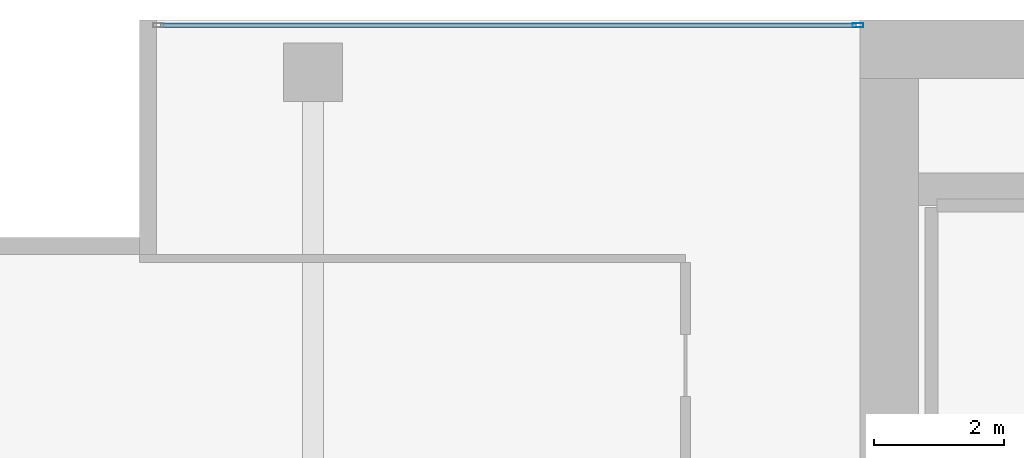
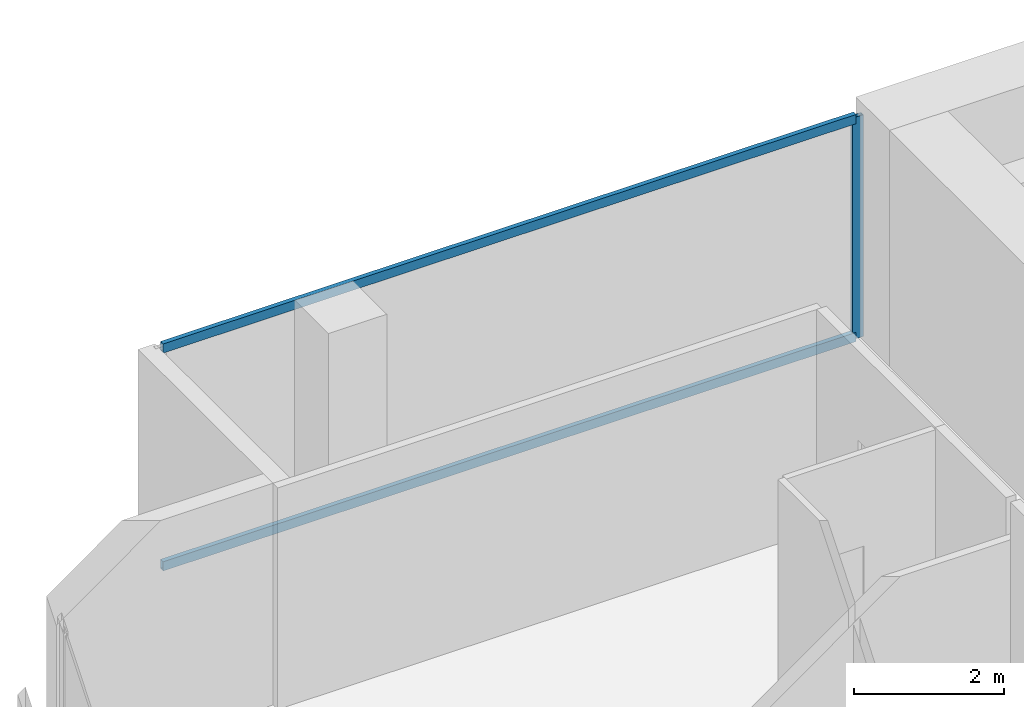
# One storey, part 26 of 40: 3 members, 1 element without a shape of its own.
"""IFC4 building model written with IfcOpenShell, lengths in metres."""

from ifc_helpers import new_model, si_unit, direction, frame, origin, origin_2d, place, context, subcontext, project, spatial, hollow_rectangle, extrude, material, layer, layer_set, material_profile, profile_set, type_object, element, aggregate, save


model = new_model("IFC4")

# Units and contexts
model_context = context("Model", 3, precision=1e-05, world=origin(), true_north=direction((0.0, 1.0)))
body_context = subcontext(model_context, "Body", "Model", "MODEL_VIEW")
ifc_project = project(units=[si_unit("LENGTHUNIT", "METRE"), si_unit("AREAUNIT", "SQUARE_METRE"), si_unit("VOLUMEUNIT", "CUBIC_METRE"), si_unit("PLANEANGLEUNIT", "RADIAN"), si_unit("MASSUNIT", "GRAM", prefix="KILO")], contexts=[model_context])

# Site, building, storey
site_placement = place(None, origin())
site = spatial("IfcSite", under=ifc_project, at=site_placement, CompositionType="ELEMENT")
building_placement = place(site_placement, origin())
building = spatial("IfcBuilding", under=site, at=building_placement, Name="Maruvema Waterfront Hotel and Observation Tower", CompositionType="ELEMENT")
storey_placement = place(building_placement, frame((0.0, 0.0, 77.0)))
storey = spatial("IfcBuildingStorey", under=building, at=storey_placement, Name="L18", CompositionType="ELEMENT", Elevation=77.0)

# Curtain wall, members
ifc_material_1 = material(Name="Anodised bronze aluminium and solar-control low-E IGU", Category="aluminium")
ifc_layer = layer(ifc_material_1, 0.159912109375, Name="Zone 1 Bronze Inner Thermal Curtain Wall System CW-02")
ifc_layer_set = layer_set([ifc_layer], Name="Anodised bronze aluminium and solar-control low-E IGU")
curtain_wall_type = type_object("IfcCurtainWallType", Name="Zone 1 Bronze Inner Thermal Curtain Wall System CW-02", PredefinedType="USERDEFINED", material=ifc_layer_set)
curtain_wall_placement = place(storey_placement, origin())
curtain_wall = element("IfcCurtainWall", 1, at=curtain_wall_placement, inside=storey, type_object=curtain_wall_type, Name="L18 Curtain Wall CW-L18-NW", ObjectType="UNITISED CURTAIN WALL", PredefinedType="USERDEFINED")
ifc_material_2 = material(Name="Anodised architectural bronze aluminium", Category="aluminium")
ifc_material_profile_1 = material_profile(ifc_material_2, hollow_rectangle(XDim=0.070068359375, YDim=0.14990234375, WallThickness=0.00390625, at=origin_2d()), Name="ALU-T70x150")
ifc_profile_set_1 = profile_set([ifc_material_profile_1], Name="Anodised architectural bronze aluminium")
member_type_1 = type_object("IfcMemberType", Name="Curtain Wall Horizontal Transom ALU-T70x150", PredefinedType="USERDEFINED", material=ifc_profile_set_1)
member_1_placement = place(storey_placement, frame((25.139892578125, 53.919921875, 0.030029296875), z_axis=(-1.0, 0.0, 0.0), x_axis=(0.0, -1.0, 0.0)))
member_1 = element("IfcMember", 2, at=member_1_placement, type_object=member_type_1, Name="CW-02 transom 1.1", ObjectType="TRANSOM", PredefinedType="USERDEFINED", context=body_context, shape_type="SweptSolid", body=[
    extrude(hollow_rectangle(XDim=0.070068359375, YDim=0.14990234375, WallThickness=0.00390625, at=origin_2d()), origin(), (0.0, 0.0, 1.0), 10.679931640625),
])
member_2_placement = place(storey_placement, frame((25.139892578125, 53.919921875, 3.580078125), z_axis=(-1.0, 0.0, 0.0), x_axis=(0.0, -1.0, 0.0)))
member_2 = element("IfcMember", 3, at=member_2_placement, type_object=member_type_1, Name="CW-02 transom 1.2", ObjectType="TRANSOM", PredefinedType="USERDEFINED", context=body_context, shape_type="SweptSolid", body=[
    extrude(hollow_rectangle(XDim=0.070068359375, YDim=0.14990234375, WallThickness=0.00390625, at=origin_2d()), origin(), (0.0, 0.0, 1.0), 10.679931640625),
])
ifc_material_3 = material(Name="Anodised architectural bronze aluminium", Category="aluminium")
ifc_material_profile_2 = material_profile(ifc_material_3, hollow_rectangle(XDim=0.06494140625, YDim=0.1650390625, WallThickness=0.00390625, at=origin_2d()), Name="ALU-M65x165")
ifc_profile_set_2 = profile_set([ifc_material_profile_2], Name="Anodised architectural bronze aluminium")
member_type_2 = type_object("IfcMemberType", Name="Curtain Wall Primary Mullion ALU-M65x165", PredefinedType="MULLION", material=ifc_profile_set_2)
member_3_placement = place(storey_placement, frame((25.169921875, 53.919921875, 0.0), z_axis=(0.0, 0.0, 1.0), x_axis=(0.0, -1.0, 0.0)))
member_3 = element("IfcMember", 4, at=member_3_placement, type_object=member_type_2, Name="CW-02 mullion 1", PredefinedType="MULLION", context=body_context, shape_type="SweptSolid", body=[
    extrude(hollow_rectangle(XDim=0.06494140625, YDim=0.1650390625, WallThickness=0.00390625, at=origin_2d()), origin(), (0.0, 0.0, 1.0), 3.610107421875),
])
aggregate(curtain_wall, [member_3, member_1, member_2])

save(model, "model.ifc")
